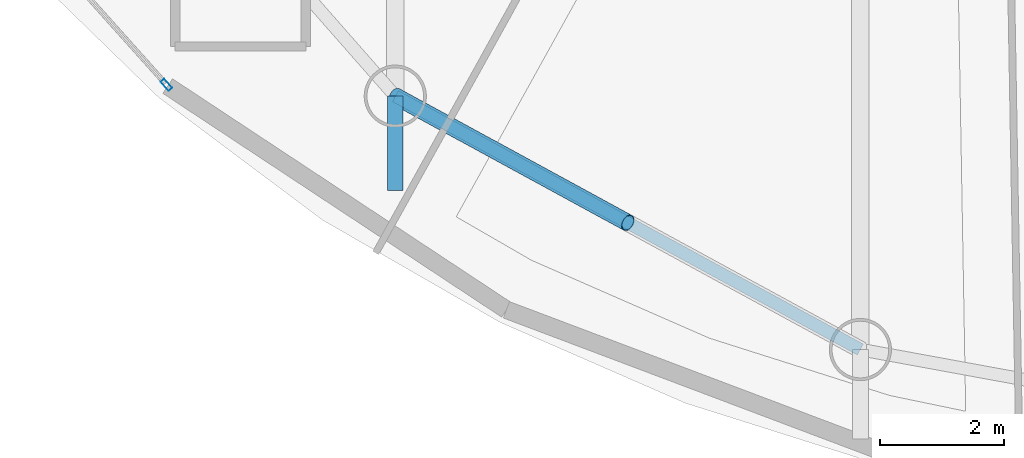
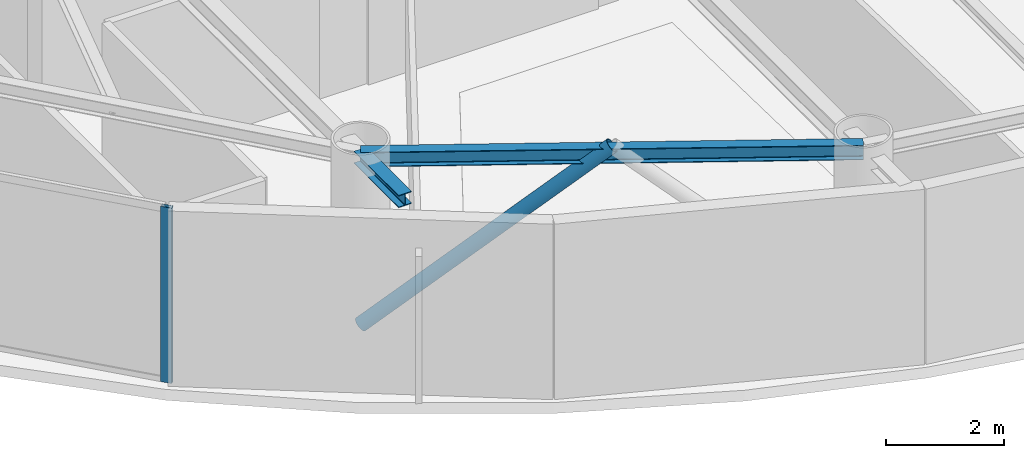
# One storey, part 2 of 21: 2 beams, 2 members, 1 element without a shape of its own.
"""IFC4 building model written with IfcOpenShell, lengths in metres."""

from ifc_helpers import new_model, si_unit, direction, frame, origin, origin_2d, place, context, subcontext, project, spatial, hollow_rectangle, hollow_circle, i_section, extrude, material, layer, layer_set, material_profile, profile_set, type_object, element, aggregate, save


model = new_model("IFC4")

# Units and contexts
model_context = context("Model", 3, precision=1e-05, world=origin(), true_north=direction((0.0, 1.0)))
body_context = subcontext(model_context, "Body", "Model", "MODEL_VIEW")
ifc_project = project(units=[si_unit("LENGTHUNIT", "METRE"), si_unit("AREAUNIT", "SQUARE_METRE"), si_unit("VOLUMEUNIT", "CUBIC_METRE"), si_unit("PLANEANGLEUNIT", "RADIAN"), si_unit("MASSUNIT", "GRAM", prefix="KILO")], contexts=[model_context])

# Site, building, storey
site_placement = place(None, origin())
site = spatial("IfcSite", under=ifc_project, at=site_placement, CompositionType="ELEMENT")
building_placement = place(site_placement, origin())
building = spatial("IfcBuilding", under=site, at=building_placement, Name="Bramvorn Convention Spire", CompositionType="ELEMENT")
storey_placement = place(building_placement, frame((0.0, 0.0, 257.449951171875)))
storey = spatial("IfcBuildingStorey", under=building, at=storey_placement, Name="L65", CompositionType="ELEMENT", Elevation=257.449951171875)

# Beams
ifc_material_1 = material(Name="Steel CSA G40.21 Grade 350 (350W)", Category="steel")
ifc_material_profile_1 = material_profile(ifc_material_1, i_section(OverallWidth=0.25390625, OverallDepth=0.2529296875, WebThickness=0.008544921875, FlangeThickness=0.01416015625, FilletRadius=0.011962890625, at=origin_2d()))
ifc_profile_set_1 = profile_set([ifc_material_profile_1], Name="Steel CSA G40.21 Grade 350 (350W) - W250X73")
beam_type_1 = type_object("IfcBeamType", Name="BM-W250X73", PredefinedType="BEAM", material=ifc_profile_set_1)
beam_1_placement = place(storey_placement, frame((28.337646484375, 10.523193359375, 3.49853515625), z_axis=(0.0, -1.0, 0.0), x_axis=(1.0, 0.0, 0.0)))
element("IfcBeam", 1, at=beam_1_placement, inside=storey, type_object=beam_type_1, Name="L65 slab-edge cantilever tip beam MC14", PredefinedType="BEAM", context=body_context, shape_type="SweptSolid", body=[
    extrude(i_section(OverallWidth=0.25390625, OverallDepth=0.2529296875, WebThickness=0.008544921875, FlangeThickness=0.01416015625, FilletRadius=0.011962890625, at=origin_2d()), origin(), (0.0, 0.0, 1.0), 1.513671875),
])
ifc_material_profile_2 = material_profile(ifc_material_1, i_section(OverallWidth=0.202880859375, OverallDepth=0.302978515625, WebThickness=0.007568359375, FlangeThickness=0.01318359375, FilletRadius=0.013916015625, at=origin_2d()))
ifc_profile_set_2 = profile_set([ifc_material_profile_2], Name="Steel CSA G40.21 Grade 350 (350W) - W310X60")
beam_type_2 = type_object("IfcBeamType", Name="BM-W310X60", PredefinedType="JOIST", material=ifc_profile_set_2)
beam_2_placement = place(storey_placement, frame((28.337646484375, 10.523193359375, 3.4736328125), z_axis=(0.878133224771, -0.478416178189, 0.0), x_axis=(0.478416178189, 0.878133224771, 0.0)))
element("IfcBeam", 2, at=beam_2_placement, inside=storey, type_object=beam_type_2, Name="L65 mega-column ring beam 14", PredefinedType="JOIST", context=body_context, shape_type="SweptSolid", body=[
    extrude(i_section(OverallWidth=0.202880859375, OverallDepth=0.302978515625, WebThickness=0.007568359375, FlangeThickness=0.01318359375, FilletRadius=0.013916015625, at=origin_2d()), origin(), (0.0, 0.0, 1.0), 8.515625),
])

# Curtain wall, member
ifc_material_2 = material(Name="Anodised Bronze Unitised Curtain Wall", Category="aluminium")
ifc_layer = layer(ifc_material_2, 0.179931640625)
ifc_layer_set = layer_set([ifc_layer], Name="Anodised Bronze Unitised Curtain Wall - CW-OFF-FRIT")
curtain_wall_type = type_object("IfcCurtainWallType", Name="CW-OFF-FRIT", PredefinedType="USERDEFINED", material=ifc_layer_set)
curtain_wall_placement = place(storey_placement, origin())
curtain_wall = element("IfcCurtainWall", 3, at=curtain_wall_placement, inside=storey, type_object=curtain_wall_type, Name="L65 fritted glass curtain wall 19", ObjectType="UNITISED CURTAIN WALL", PredefinedType="USERDEFINED")
ifc_material_3 = material(Name="Anodised Bronze Aluminium 6063-T6", Category="aluminium")
ifc_material_profile_3 = material_profile(ifc_material_3, hollow_rectangle(XDim=0.080078125, YDim=0.199951171875, WallThickness=0.00390625, InnerFilletRadius=0.0009765625, OuterFilletRadius=0.00390625, at=origin_2d()))
ifc_profile_set_3 = profile_set([ifc_material_profile_3], Name="Anodised Bronze Aluminium 6063-T6 - CWM80X200")
member_type_1 = type_object("IfcMemberType", Name="CW-MUL-180", PredefinedType="MULLION", material=ifc_profile_set_3)
member_1_placement = place(storey_placement, frame((24.658935546875, 10.706787109375, 0.0), z_axis=(0.0, 0.0, 1.0), x_axis=(-0.745109867792, -0.666941740274, 0.0)))
member_1 = element("IfcMember", 4, at=member_1_placement, type_object=member_type_1, Name="CW3 mullion 1", PredefinedType="MULLION", context=body_context, shape_type="SweptSolid", body=[
    extrude(hollow_rectangle(XDim=0.080078125, YDim=0.199951171875, WallThickness=0.00390625, InnerFilletRadius=0.0009765625, OuterFilletRadius=0.00390625, at=origin_2d()), origin(), (0.0, 0.0, 1.0), 3.625),
])
aggregate(curtain_wall, [member_1])

# Member
ifc_material_profile_4 = material_profile(ifc_material_1, hollow_circle(Radius=0.136474609375, WallThickness=0.0126953125, at=origin_2d()))
ifc_profile_set_4 = profile_set([ifc_material_profile_4], Name="Steel CSA G40.21 Grade 350 (350W) - CHS273X13")
member_type_2 = type_object("IfcMemberType", Name="MBR-CHS273X13", PredefinedType="BRACE", material=ifc_profile_set_4)
member_2_placement = place(storey_placement, frame((28.337646484375, 10.523193359375, 0.0), z_axis=(0.668634081548, -0.364288787231, 0.648245435379), x_axis=(0.478426241072, 0.878127742332, 0.0)))
element("IfcMember", 5, at=member_2_placement, inside=storey, type_object=member_type_2, Name="L65 perimeter Gothic lancet brace 14A", PredefinedType="BRACE", context=body_context, shape_type="SweptSolid", body=[
    extrude(hollow_circle(Radius=0.136474609375, WallThickness=0.0126953125, at=origin_2d()), origin(), (0.0, 0.0, 1.0), 5.592041015625),
])

save(model, "model.ifc")
